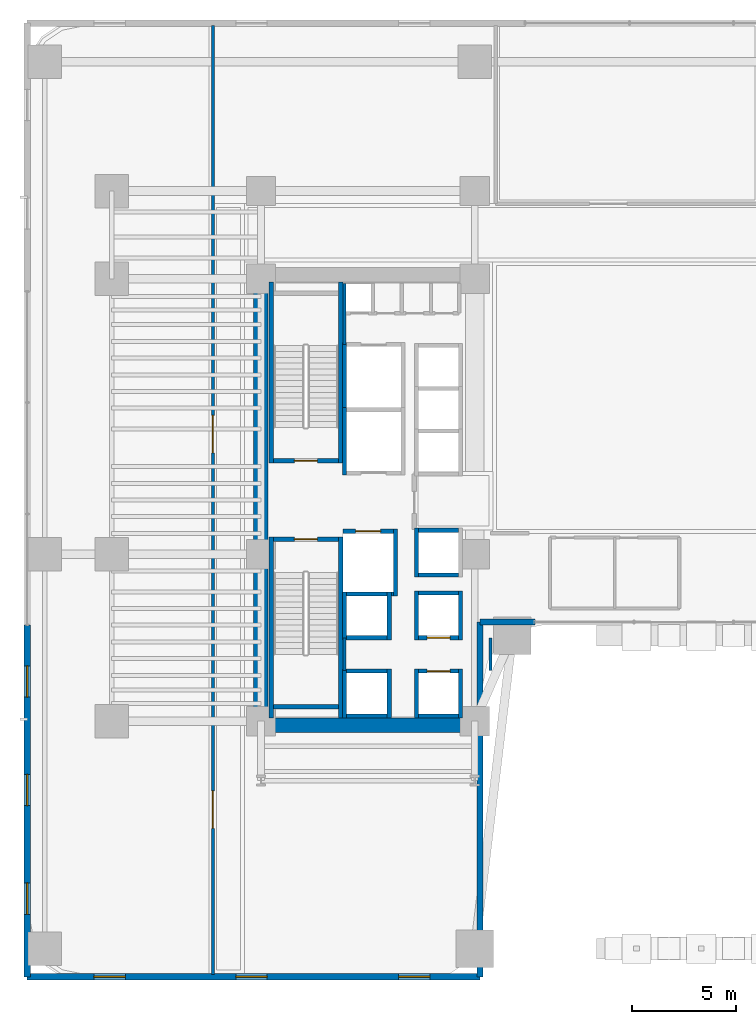
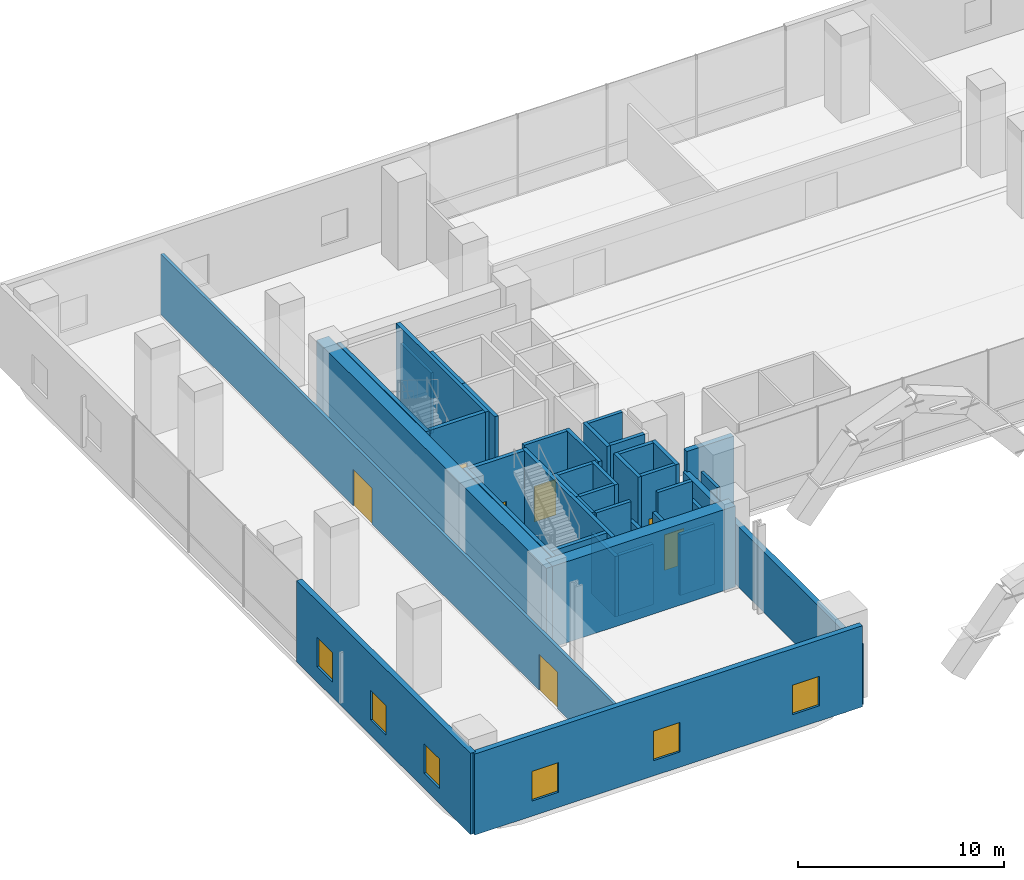
# One storey, part 26 of 39: 40 walls, 7 doors, 6 windows, 13 openings.
"""IFC4 building model written with IfcOpenShell, lengths in metres."""

from ifc_helpers import new_model, si_unit, direction, frame, frame_2d, origin, place, context, subcontext, project, spatial, rectangle, extrude, material, layer, layer_set, type_object, element, fill, save


model = new_model("IFC4")

# Units and contexts
model_context = context("Model", 3, precision=1e-05, world=origin(), true_north=direction((0.0, 1.0)))
body_context = subcontext(model_context, "Body", "Model", "MODEL_VIEW")
ifc_project = project(units=[si_unit("LENGTHUNIT", "METRE"), si_unit("AREAUNIT", "SQUARE_METRE"), si_unit("VOLUMEUNIT", "CUBIC_METRE"), si_unit("PLANEANGLEUNIT", "RADIAN"), si_unit("MASSUNIT", "GRAM", prefix="KILO")], contexts=[model_context])

# Site, building, storey
site_placement = place(None, origin())
site = spatial("IfcSite", under=ifc_project, at=site_placement, CompositionType="ELEMENT")
building_placement = place(site_placement, origin())
building = spatial("IfcBuilding", under=site, at=building_placement, Name="Valdorenza Pilgrim Sanctuary Tower", CompositionType="ELEMENT")
storey_placement = place(building_placement, frame((0.0, 0.0, 15.60009765625)))
storey = spatial("IfcBuildingStorey", under=building, at=storey_placement, Name="L03", CompositionType="ELEMENT", Elevation=15.60009765625)

# Walls
ifc_material_1 = material(Name="Acoustic twin-stud gypsum partition", Category="gypsum")
ifc_layer_1 = layer(ifc_material_1, 0.159912109375, Name="Acoustic twin-stud gypsum partition")
ifc_layer_set_1 = layer_set([ifc_layer_1], Name="Acoustic twin-stud gypsum partition")
wall_type_1 = type_object("IfcWallType", Name="WAL-COR-160", PredefinedType="PARTITIONING", material=ifc_layer_set_1)
wall_1_placement = place(storey_placement, frame((-18.64990234375, 7.449951171875, 0.0), z_axis=(0.0, 0.0, 1.0), x_axis=(0.0, 1.0, 0.0)))
element("IfcWall", 1, at=wall_1_placement, inside=storey, type_object=wall_type_1, Name="L03 Core A North Service West Wall", PredefinedType="PARTITIONING", context=body_context, shape_type="SweptSolid", body=[
    extrude(rectangle(XDim=2.929931640625, YDim=0.159912109375, at=frame_2d((1.46484375, 0.0))), origin(), (0.0, 0.0, 1.0), 3.5849609375),
])
wall_2_placement = place(storey_placement, frame((-18.64990234375, -8.179931640625, 0.0), z_axis=(0.0, 0.0, 1.0), x_axis=(0.0, 1.0, 0.0)))
element("IfcWall", 2, at=wall_2_placement, inside=storey, type_object=wall_type_1, Name="L03 Core A South Lift Hall West Wall", PredefinedType="PARTITIONING", context=body_context, shape_type="SweptSolid", body=[
    extrude(rectangle(XDim=1.559814453125, YDim=0.159912109375, at=frame_2d((0.77978515625, 0.0))), origin(), (0.0, 0.0, 1.0), 4.7998046875),
])
wall_3_placement = place(storey_placement, frame((-11.64990234375, -8.179931640625, 0.0), z_axis=(0.0, 0.0, 1.0), x_axis=(0.0, 1.0, 0.0)))
element("IfcWall", 3, at=wall_3_placement, inside=storey, type_object=wall_type_1, Name="L03 Core A South Lift Hall East Wall", PredefinedType="PARTITIONING", context=body_context, shape_type="SweptSolid", body=[
    extrude(rectangle(XDim=1.559814453125, YDim=0.159912109375, at=frame_2d((0.77978515625, 0.0))), origin(), (0.0, 0.0, 1.0), 3.8369140625),
])

# Wall, openings, doors
wall_4_placement = place(storey_placement, frame((-24.949951171875, -22.739990234375, 0.0), z_axis=(0.0, 0.0, 1.0), x_axis=(0.0, 1.0, 0.0)))
wall_4 = element("IfcWall", 4, at=wall_4_placement, inside=storey, type_object=wall_type_1, Name="L03 L03 West Hall Wall", PredefinedType="PARTITIONING", context=body_context, shape_type="SweptSolid", body=[
    extrude(rectangle(XDim=45.47998046875, YDim=0.159912109375, at=frame_2d((22.739990234375, 0.0))), origin(), (0.0, 0.0, 1.0), 3.5849609375),
])
opening_1_placement = place(wall_4_placement, frame((7.0, 0.0, 0.0)))
opening_1 = element("IfcOpeningElement", 5, at=opening_1_placement, cuts=wall_4, Name="Opening DR-HL1", PredefinedType="OPENING", context=body_context, shape_type="SweptSolid", body=[
    extrude(rectangle(XDim=1.800048828125, YDim=2.14990234375, at=frame_2d((0.89990234375, 1.074951171875))), frame((0.0, 0.0947265625, 0.0), z_axis=(0.0, -1.0, 0.0), x_axis=(1.0, 0.0, 0.0)), (0.0, 0.0, 1.0), 0.189697265625),
])
opening_2_placement = place(wall_4_placement, frame((25.0, 0.0, 0.0)))
opening_2 = element("IfcOpeningElement", 6, at=opening_2_placement, cuts=wall_4, Name="Opening DR-HL1", PredefinedType="OPENING", context=body_context, shape_type="SweptSolid", body=[
    extrude(rectangle(XDim=1.800048828125, YDim=2.14990234375, at=frame_2d((0.89990234375, 1.074951171875))), frame((0.0, 0.0947265625, 0.0), z_axis=(0.0, -1.0, 0.0), x_axis=(1.0, 0.0, 0.0)), (0.0, 0.0, 1.0), 0.189697265625),
])
ifc_material_2 = material(Name="Acoustic oak and vision-glass double door", Category="glass")
door_type_1 = type_object("IfcDoorType", Name="DR-HALL-1800", OperationType="NOTDEFINED", PredefinedType="DOOR", material=ifc_material_2)
door_1_placement = place(opening_1_placement, frame((1.800048828125, 0.0, 0.0), z_axis=(0.0, 0.0, 1.0), x_axis=(-1.0, 0.0, 0.0)))
door_1 = element("IfcDoor", 7, at=door_1_placement, inside=storey, type_object=door_type_1, Name="L03 Pilgrimage Exhibition Gallery South Double Door", OperationType="DOUBLE_DOOR_SINGLE_SWING", OverallHeight=2.14990234375, OverallWidth=1.800048828125, PredefinedType="DOOR", context=body_context, shape_type="SweptSolid", body=[
    extrude(rectangle(XDim=1.800048828125, YDim=2.14990234375, at=frame_2d((0.89990234375, 1.074951171875))), frame((0.0, 0.02490234375, 0.0), z_axis=(0.0, -1.0, 0.0), x_axis=(1.0, 0.0, 0.0)), (0.0, 0.0, 1.0), 0.050048828125),
])
fill(opening_1, door_1)
door_2_placement = place(opening_2_placement, origin())
door_2 = element("IfcDoor", 8, at=door_2_placement, inside=storey, type_object=door_type_1, Name="L03 Pilgrimage Exhibition Gallery North Double Door", OperationType="DOUBLE_DOOR_SINGLE_SWING", OverallHeight=2.14990234375, OverallWidth=1.800048828125, PredefinedType="DOOR", context=body_context, shape_type="SweptSolid", body=[
    extrude(rectangle(XDim=1.800048828125, YDim=2.14990234375, at=frame_2d((0.89990234375, 1.074951171875))), frame((0.0, 0.02490234375, 0.0), z_axis=(0.0, -1.0, 0.0), x_axis=(1.0, 0.0, 0.0)), (0.0, 0.0, 1.0), 0.050048828125),
])
fill(opening_2, door_2)

# Walls
ifc_material_3 = material(Name="Concrete C60/75", Category="concrete")
ifc_layer_2 = layer(ifc_material_3, 0.699951171875, Name="Concrete C60/75")
ifc_layer_set_2 = layer_set([ifc_layer_2], Name="Concrete C60/75")
wall_type_2 = type_object("IfcWallType", Name="WAL-COR-700", PredefinedType="SHEAR", material=ifc_layer_set_2)
wall_5_placement = place(storey_placement, frame((-22.64990234375, -11.14990234375, 0.0), z_axis=(0.0, 0.0, 1.0), x_axis=(0.0, 1.0, 0.0)))
element("IfcWall", 9, at=wall_5_placement, inside=storey, type_object=wall_type_2, Name="L03 Split Core A Shear Wall W", PredefinedType="SHEAR", context=body_context, shape_type="SweptSolid", body=[
    extrude(rectangle(XDim=22.2998046875, YDim=0.699951171875, at=frame_2d((11.14990234375, 0.0))), origin(), (0.0, 0.0, 1.0), 4.7998046875),
])
wall_6_placement = place(storey_placement, frame((-22.64990234375, -10.800048828125, 0.0), z_axis=(0.0, 0.0, 1.0), x_axis=(1.0, 0.0, 0.0)))
element("IfcWall", 10, at=wall_6_placement, inside=storey, type_object=wall_type_2, Name="L03 Split Core A Shear Wall S", PredefinedType="SHEAR", context=body_context, shape_type="SweptSolid", body=[
    extrude(rectangle(XDim=10.25, YDim=0.699951171875, at=frame_2d((5.125, 0.0))), origin(), (0.0, 0.0, 1.0), 4.7998046875),
])

# Wall, openings, windows
ifc_material_4 = material(Name="Honed travertine limestone", Category="masonry")
ifc_layer_3 = layer(ifc_material_4, 0.300048828125, Name="Honed travertine limestone")
ifc_layer_set_3 = layer_set([ifc_layer_3], Name="Honed travertine limestone")
wall_type_3 = type_object("IfcWallType", Name="WAL-EXT-300", PredefinedType="SOLIDWALL", material=ifc_layer_set_3)
wall_7_placement = place(storey_placement, frame((-33.85009765625, -22.85009765625, 0.0), z_axis=(0.0, 0.0, 1.0), x_axis=(0.0, 1.0, 0.0)))
wall_7 = element("IfcWall", 11, at=wall_7_placement, inside=storey, type_object=wall_type_3, Name="L03 Podium Honed Travertine Stone Wall W-S", PredefinedType="SOLIDWALL", context=body_context, shape_type="SweptSolid", body=[
    extrude(rectangle(XDim=16.8701171875, YDim=0.300048828125, at=frame_2d((8.43505859375, 0.0))), origin(), (0.0, 0.0, 1.0), 4.7998046875),
])
opening_3_placement = place(wall_7_placement, frame((3.0, 0.0, 0.89990234375)))
opening_3 = element("IfcOpeningElement", 12, at=opening_3_placement, cuts=wall_7, Name="Opening WN-VS1", PredefinedType="OPENING", context=body_context, shape_type="SweptSolid", body=[
    extrude(rectangle(XDim=1.5, YDim=1.75, at=frame_2d((0.75, 0.875))), frame((0.0, 0.1650390625, 0.0), z_axis=(0.0, -1.0, 0.0), x_axis=(1.0, 0.0, 0.0)), (0.0, 0.0, 1.0), 0.329833984375),
])
opening_4_placement = place(wall_7_placement, frame((8.199951171875, 0.0, 0.89990234375)))
opening_4 = element("IfcOpeningElement", 13, at=opening_4_placement, cuts=wall_7, Name="Opening WN-VS1", PredefinedType="OPENING", context=body_context, shape_type="SweptSolid", body=[
    extrude(rectangle(XDim=1.5, YDim=1.75, at=frame_2d((0.75, 0.875))), frame((0.0, 0.1650390625, 0.0), z_axis=(0.0, -1.0, 0.0), x_axis=(1.0, 0.0, 0.0)), (0.0, 0.0, 1.0), 0.329833984375),
])
opening_5_placement = place(wall_7_placement, frame((13.39990234375, 0.0, 0.89990234375)))
opening_5 = element("IfcOpeningElement", 14, at=opening_5_placement, cuts=wall_7, Name="Opening WN-VS1", PredefinedType="OPENING", context=body_context, shape_type="SweptSolid", body=[
    extrude(rectangle(XDim=1.5, YDim=1.75, at=frame_2d((0.75, 0.875))), frame((0.0, 0.1650390625, 0.0), z_axis=(0.0, -1.0, 0.0), x_axis=(1.0, 0.0, 0.0)), (0.0, 0.0, 1.0), 0.329833984375),
])
ifc_material_5 = material(Name="Ceramic-fritted low-E IGU glazing", Category="glass")
window_type = type_object("IfcWindowType", Name="WIN-VIS-1500", PartitioningType="SINGLE_PANEL", PredefinedType="WINDOW", material=ifc_material_5)
window_1_placement = place(opening_3_placement, origin())
window_1 = element("IfcWindow", 15, at=window_1_placement, inside=storey, type_object=window_type, Name="L03 Podium Stone Vision Window W-S-1", OverallHeight=1.75, OverallWidth=1.5, PartitioningType="SINGLE_PANEL", PredefinedType="WINDOW", context=body_context, shape_type="SweptSolid", body=[
    extrude(rectangle(XDim=1.5, YDim=1.75, at=frame_2d((0.75, 0.875))), frame((0.0, 0.030029296875, 0.0), z_axis=(0.0, -1.0, 0.0), x_axis=(1.0, 0.0, 0.0)), (0.0, 0.0, 1.0), 0.06005859375),
])
fill(opening_3, window_1)
window_2_placement = place(opening_4_placement, origin())
window_2 = element("IfcWindow", 16, at=window_2_placement, inside=storey, type_object=window_type, Name="L03 Podium Stone Vision Window W-S-2", OverallHeight=1.75, OverallWidth=1.5, PartitioningType="SINGLE_PANEL", PredefinedType="WINDOW", context=body_context, shape_type="SweptSolid", body=[
    extrude(rectangle(XDim=1.5, YDim=1.75, at=frame_2d((0.75, 0.875))), frame((0.0, 0.030029296875, 0.0), z_axis=(0.0, -1.0, 0.0), x_axis=(1.0, 0.0, 0.0)), (0.0, 0.0, 1.0), 0.06005859375),
])
fill(opening_4, window_2)
window_3_placement = place(opening_5_placement, origin())
window_3 = element("IfcWindow", 17, at=window_3_placement, inside=storey, type_object=window_type, Name="L03 Podium Stone Vision Window W-S-3", OverallHeight=1.75, OverallWidth=1.5, PartitioningType="SINGLE_PANEL", PredefinedType="WINDOW", context=body_context, shape_type="SweptSolid", body=[
    extrude(rectangle(XDim=1.5, YDim=1.75, at=frame_2d((0.75, 0.875))), frame((0.0, 0.030029296875, 0.0), z_axis=(0.0, -1.0, 0.0), x_axis=(1.0, 0.0, 0.0)), (0.0, 0.0, 1.0), 0.06005859375),
])
fill(opening_5, window_3)

wall_8_placement = place(storey_placement, frame((-33.85009765625, -22.85009765625, 0.0), z_axis=(0.0, 0.0, 1.0), x_axis=(1.0, 0.0, 0.0)))
wall_8 = element("IfcWall", 18, at=wall_8_placement, inside=storey, type_object=wall_type_3, Name="L03 Podium Honed Travertine Stone Wall S-W", PredefinedType="SOLIDWALL", context=body_context, shape_type="SweptSolid", body=[
    extrude(rectangle(XDim=21.7001953125, YDim=0.300048828125, at=frame_2d((10.85009765625, 0.0))), origin(), (0.0, 0.0, 1.0), 4.7998046875),
])
opening_6_placement = place(wall_8_placement, frame((3.199951171875, 0.0, 0.89990234375)))
opening_6 = element("IfcOpeningElement", 19, at=opening_6_placement, cuts=wall_8, Name="Opening WN-VS1", PredefinedType="OPENING", context=body_context, shape_type="SweptSolid", body=[
    extrude(rectangle(XDim=1.5, YDim=1.75, at=frame_2d((0.75, 0.875))), frame((0.0, 0.1650390625, 0.0), z_axis=(0.0, -1.0, 0.0), x_axis=(1.0, 0.0, 0.0)), (0.0, 0.0, 1.0), 0.329833984375),
])
opening_7_placement = place(wall_8_placement, frame((10.0, 0.0, 0.89990234375)))
opening_7 = element("IfcOpeningElement", 20, at=opening_7_placement, cuts=wall_8, Name="Opening WN-VS1", PredefinedType="OPENING", context=body_context, shape_type="SweptSolid", body=[
    extrude(rectangle(XDim=1.5, YDim=1.75, at=frame_2d((0.75, 0.875))), frame((0.0, 0.1650390625, 0.0), z_axis=(0.0, -1.0, 0.0), x_axis=(1.0, 0.0, 0.0)), (0.0, 0.0, 1.0), 0.329833984375),
])
opening_8_placement = place(wall_8_placement, frame((17.800048828125, 0.0, 0.89990234375)))
opening_8 = element("IfcOpeningElement", 21, at=opening_8_placement, cuts=wall_8, Name="Opening WN-VS1", PredefinedType="OPENING", context=body_context, shape_type="SweptSolid", body=[
    extrude(rectangle(XDim=1.5, YDim=1.75, at=frame_2d((0.75, 0.875))), frame((0.0, 0.1650390625, 0.0), z_axis=(0.0, -1.0, 0.0), x_axis=(1.0, 0.0, 0.0)), (0.0, 0.0, 1.0), 0.329833984375),
])
window_4_placement = place(opening_6_placement, origin())
window_4 = element("IfcWindow", 22, at=window_4_placement, inside=storey, type_object=window_type, Name="L03 Podium Stone Vision Window S-W-1", OverallHeight=1.75, OverallWidth=1.5, PartitioningType="SINGLE_PANEL", PredefinedType="WINDOW", context=body_context, shape_type="SweptSolid", body=[
    extrude(rectangle(XDim=1.5, YDim=1.75, at=frame_2d((0.75, 0.875))), frame((0.0, 0.030029296875, 0.0), z_axis=(0.0, -1.0, 0.0), x_axis=(1.0, 0.0, 0.0)), (0.0, 0.0, 1.0), 0.06005859375),
])
fill(opening_6, window_4)
window_5_placement = place(opening_7_placement, origin())
window_5 = element("IfcWindow", 23, at=window_5_placement, inside=storey, type_object=window_type, Name="L03 Podium Stone Vision Window S-W-2", OverallHeight=1.75, OverallWidth=1.5, PartitioningType="SINGLE_PANEL", PredefinedType="WINDOW", context=body_context, shape_type="SweptSolid", body=[
    extrude(rectangle(XDim=1.5, YDim=1.75, at=frame_2d((0.75, 0.875))), frame((0.0, 0.030029296875, 0.0), z_axis=(0.0, -1.0, 0.0), x_axis=(1.0, 0.0, 0.0)), (0.0, 0.0, 1.0), 0.06005859375),
])
fill(opening_7, window_5)
window_6_placement = place(opening_8_placement, origin())
window_6 = element("IfcWindow", 24, at=window_6_placement, inside=storey, type_object=window_type, Name="L03 Podium Stone Vision Window S-W-3", OverallHeight=1.75, OverallWidth=1.5, PartitioningType="SINGLE_PANEL", PredefinedType="WINDOW", context=body_context, shape_type="SweptSolid", body=[
    extrude(rectangle(XDim=1.5, YDim=1.75, at=frame_2d((0.75, 0.875))), frame((0.0, 0.030029296875, 0.0), z_axis=(0.0, -1.0, 0.0), x_axis=(1.0, 0.0, 0.0)), (0.0, 0.0, 1.0), 0.06005859375),
])
fill(opening_8, window_6)

# Walls
wall_9_placement = place(storey_placement, frame((-12.14990234375, -22.85009765625, 0.0), z_axis=(0.0, 0.0, 1.0), x_axis=(0.0, 1.0, 0.0)))
element("IfcWall", 25, at=wall_9_placement, inside=storey, type_object=wall_type_3, Name="L03 Portal Arch Stone Cheek Wall ARCH-W", PredefinedType="SOLIDWALL", context=body_context, shape_type="SweptSolid", body=[
    extrude(rectangle(XDim=17.0, YDim=0.300048828125, at=frame_2d((8.5, 0.0))), origin(), (0.0, 0.0, 1.0), 3.5849609375),
])
wall_10_placement = place(storey_placement, frame((-12.14990234375, -5.85009765625, 0.0), z_axis=(0.0, 0.0, 1.0), x_axis=(1.0, 0.0, 0.0)))
element("IfcWall", 26, at=wall_10_placement, inside=storey, type_object=wall_type_3, Name="L03 Arch Pier West Stone Jamb", PredefinedType="SOLIDWALL", context=body_context, shape_type="SweptSolid", body=[
    extrude(rectangle(XDim=2.6298828125, YDim=0.300048828125, at=frame_2d((1.31494140625, 0.0))), origin(), (0.0, 0.0, 1.0), 4.7998046875),
])
ifc_material_6 = material(Name="Autoclaved aerated concrete blockwork", Category="masonry")
ifc_layer_4 = layer(ifc_material_6, 0.199951171875, Name="Autoclaved aerated concrete blockwork")
ifc_layer_set_4 = layer_set([ifc_layer_4], Name="Autoclaved aerated concrete blockwork")
wall_type_4 = type_object("IfcWallType", Name="WAL-SHF-200", PredefinedType="MOVABLE", material=ifc_layer_set_4)
wall_11_placement = place(storey_placement, frame((-18.64990234375, 1.199951171875, 0.0), z_axis=(0.0, 0.0, 1.0), x_axis=(0.0, 1.0, 0.0)))
element("IfcWall", 27, at=wall_11_placement, inside=storey, type_object=wall_type_4, Name="L03 Lift FFL-01 Hoistway Wall West", PredefinedType="MOVABLE", context=body_context, shape_type="SweptSolid", body=[
    extrude(rectangle(XDim=3.22509765625, YDim=0.199951171875, at=frame_2d((1.612548828125, 0.0))), origin(), (0.0, 0.0, 1.0), 4.7998046875),
])
wall_12_placement = place(storey_placement, frame((-16.199951171875, -4.60009765625, 0.0), z_axis=(0.0, 0.0, 1.0), x_axis=(0.0, 1.0, 0.0)))
element("IfcWall", 28, at=wall_12_placement, inside=storey, type_object=wall_type_4, Name="L03 Lift FFL-02 Hoistway Wall East", PredefinedType="MOVABLE", context=body_context, shape_type="SweptSolid", body=[
    extrude(rectangle(XDim=3.2001953125, YDim=0.199951171875, at=frame_2d((1.60009765625, 0.0))), origin(), (0.0, 0.0, 1.0), 4.7998046875),
])
wall_13_placement = place(storey_placement, frame((-18.719970703125, -4.5, 0.0), z_axis=(0.0, 0.0, 1.0), x_axis=(1.0, 0.0, 0.0)))
element("IfcWall", 29, at=wall_13_placement, inside=storey, type_object=wall_type_4, Name="L03 Lift FFL-02 Hoistway Wall South", PredefinedType="MOVABLE", context=body_context, shape_type="SweptSolid", body=[
    extrude(rectangle(XDim=2.419921875, YDim=0.199951171875, at=frame_2d((1.2099609375, 0.0))), origin(), (0.0, 0.0, 1.0), 4.7998046875),
])

# Wall, opening, door
wall_14_placement = place(storey_placement, frame((-18.719970703125, -1.5, 0.0), z_axis=(0.0, 0.0, 1.0), x_axis=(1.0, 0.0, 0.0)))
wall_14 = element("IfcWall", 30, at=wall_14_placement, inside=storey, type_object=wall_type_4, Name="L03 Lift FFL-02 Hoistway Wall North", PredefinedType="MOVABLE", context=body_context, shape_type="SweptSolid", body=[
    extrude(rectangle(XDim=2.419921875, YDim=0.199951171875, at=frame_2d((1.2099609375, 0.0))), origin(), (0.0, 0.0, 1.0), 4.7998046875),
])
opening_9_placement = place(wall_14_placement, frame((0.610107421875, 0.0, 0.0)))
opening_9 = element("IfcOpeningElement", 31, at=opening_9_placement, cuts=wall_14, Name="Opening LD-02", PredefinedType="OPENING", context=body_context, shape_type="SweptSolid", body=[
    extrude(rectangle(XDim=1.199951171875, YDim=2.10009765625, at=frame_2d((0.60009765625, 1.050048828125))), frame((0.0, 0.11474609375, 0.0), z_axis=(0.0, -1.0, 0.0), x_axis=(1.0, 0.0, 0.0)), (0.0, 0.0, 1.0), 0.229736328125),
])
ifc_material_7 = material(Name="Brushed stainless steel Grade 316", Category="steel")
door_type_2 = type_object("IfcDoorType", Name="DR-LFT-1200", OperationType="DOUBLE_DOOR_SLIDING", PredefinedType="DOOR", material=ifc_material_7)
door_3_placement = place(opening_9_placement, origin())
door_3 = element("IfcDoor", 32, at=door_3_placement, inside=storey, type_object=door_type_2, Name="L03 Lift FFL-02 Sliding Landing Door", OperationType="DOUBLE_DOOR_SLIDING", OverallHeight=2.10009765625, OverallWidth=1.199951171875, PredefinedType="DOOR", context=body_context, shape_type="SweptSolid", body=[
    extrude(rectangle(XDim=1.199951171875, YDim=2.10009765625, at=frame_2d((0.60009765625, 1.050048828125))), frame((0.0, 0.02490234375, 0.0), z_axis=(0.0, -1.0, 0.0), x_axis=(1.0, 0.0, 0.0)), (0.0, 0.0, 1.0), 0.050048828125),
])
fill(opening_9, door_3)

# Walls
wall_15_placement = place(storey_placement, frame((-18.64990234375, 4.22509765625, 0.0), z_axis=(0.0, 0.0, 1.0), x_axis=(0.0, 1.0, 0.0)))
element("IfcWall", 33, at=wall_15_placement, inside=storey, type_object=wall_type_4, Name="L03 Lift SVL-01 Hoistway Wall West", PredefinedType="MOVABLE", context=body_context, shape_type="SweptSolid", body=[
    extrude(rectangle(XDim=3.324951171875, YDim=0.199951171875, at=frame_2d((1.66259765625, 0.0))), origin(), (0.0, 0.0, 1.0), 4.7998046875),
])
for number, where, z_axis, x_axis, name in (
    (34, (-15.199951171875, -10.449951171875, 0.0), (0.0, 0.0, 1.0), (0.0, 1.0, 0.0), "L03 Lift PL-01 Hoistway Wall West"),
    (35, (-13.080078125, -10.449951171875, 0.0), (0.0, 0.0, 1.0), (0.0, 1.0, 0.0), "L03 Lift PL-01 Hoistway Wall East"),
):
    element("IfcWall", number, at=place(storey_placement, frame(where, z_axis=z_axis, x_axis=x_axis)), inside=storey, type_object=wall_type_4, Name=name, PredefinedType="MOVABLE", context=body_context, shape_type="SweptSolid", body=[
        extrude(rectangle(XDim=2.349853515625, YDim=0.199951171875, at=frame_2d((1.1748046875, 0.0))), origin(), (0.0, 0.0, 1.0), 3.5849609375),
    ])
wall_16_placement = place(storey_placement, frame((-15.10009765625, -10.35009765625, 0.0), z_axis=(0.0, 0.0, 1.0), x_axis=(1.0, 0.0, 0.0)))
element("IfcWall", 36, at=wall_16_placement, inside=storey, type_object=wall_type_4, Name="L03 Lift PL-01 Hoistway Wall South", PredefinedType="MOVABLE", context=body_context, shape_type="SweptSolid", body=[
    extrude(rectangle(XDim=1.920166015625, YDim=0.199951171875, at=frame_2d((0.9599609375, 0.0))), origin(), (0.0, 0.0, 1.0), 3.5849609375),
])

# Wall, opening, door
wall_17_placement = place(storey_placement, frame((-15.10009765625, -8.199951171875, 0.0), z_axis=(0.0, 0.0, 1.0), x_axis=(1.0, 0.0, 0.0)))
wall_17 = element("IfcWall", 37, at=wall_17_placement, inside=storey, type_object=wall_type_4, Name="L03 Lift PL-01 Hoistway Wall North", PredefinedType="MOVABLE", context=body_context, shape_type="SweptSolid", body=[
    extrude(rectangle(XDim=1.920166015625, YDim=0.199951171875, at=frame_2d((0.9599609375, 0.0))), origin(), (0.0, 0.0, 1.0), 4.7998046875),
])
opening_10_placement = place(wall_17_placement, frame((0.409912109375, 0.0, 0.0)))
opening_10 = element("IfcOpeningElement", 38, at=opening_10_placement, cuts=wall_17, Name="Opening LD-01", PredefinedType="OPENING", context=body_context, shape_type="SweptSolid", body=[
    extrude(rectangle(XDim=1.10009765625, YDim=2.10009765625, at=frame_2d((0.550048828125, 1.050048828125))), frame((0.0, 0.11474609375, 0.0), z_axis=(0.0, -1.0, 0.0), x_axis=(1.0, 0.0, 0.0)), (0.0, 0.0, 1.0), 0.229736328125),
])
door_type_3 = type_object("IfcDoorType", Name="DR-LFT-1100", OperationType="DOUBLE_DOOR_SLIDING", PredefinedType="DOOR", material=ifc_material_7)
door_4_placement = place(opening_10_placement, origin())
door_4 = element("IfcDoor", 39, at=door_4_placement, inside=storey, type_object=door_type_3, Name="L03 Lift PL-01 Sliding Landing Door", OperationType="DOUBLE_DOOR_SLIDING", OverallHeight=2.10009765625, OverallWidth=1.10009765625, PredefinedType="DOOR", context=body_context, shape_type="SweptSolid", body=[
    extrude(rectangle(XDim=1.10009765625, YDim=2.10009765625, at=frame_2d((0.550048828125, 1.050048828125))), frame((0.0, 0.02490234375, 0.0), z_axis=(0.0, -1.0, 0.0), x_axis=(1.0, 0.0, 0.0)), (0.0, 0.0, 1.0), 0.050048828125),
])
fill(opening_10, door_4)

# Walls
for number, where, z_axis, x_axis, name in (
    (40, (-15.199951171875, -6.699951171875, 0.0), (0.0, 0.0, 1.0), (0.0, 1.0, 0.0), "L03 Lift PL-02 Hoistway Wall West"),
    (41, (-13.080078125, -6.699951171875, 0.0), (0.0, 0.0, 1.0), (0.0, 1.0, 0.0), "L03 Lift PL-02 Hoistway Wall East"),
):
    element("IfcWall", number, at=place(storey_placement, frame(where, z_axis=z_axis, x_axis=x_axis)), inside=storey, type_object=wall_type_4, Name=name, PredefinedType="MOVABLE", context=body_context, shape_type="SweptSolid", body=[
        extrude(rectangle(XDim=2.349853515625, YDim=0.199951171875, at=frame_2d((1.1748046875, 0.0))), origin(), (0.0, 0.0, 1.0), 4.7998046875),
    ])

# Wall, opening, door
wall_18_placement = place(storey_placement, frame((-15.10009765625, -6.60009765625, 0.0), z_axis=(0.0, 0.0, 1.0), x_axis=(1.0, 0.0, 0.0)))
wall_18 = element("IfcWall", 42, at=wall_18_placement, inside=storey, type_object=wall_type_4, Name="L03 Lift PL-02 Hoistway Wall South", PredefinedType="MOVABLE", context=body_context, shape_type="SweptSolid", body=[
    extrude(rectangle(XDim=1.920166015625, YDim=0.199951171875, at=frame_2d((0.9599609375, 0.0))), origin(), (0.0, 0.0, 1.0), 4.7998046875),
])
opening_11_placement = place(wall_18_placement, frame((0.409912109375, 0.0, 0.0)))
opening_11 = element("IfcOpeningElement", 43, at=opening_11_placement, cuts=wall_18, Name="Opening LD-01", PredefinedType="OPENING", context=body_context, shape_type="SweptSolid", body=[
    extrude(rectangle(XDim=1.10009765625, YDim=2.10009765625, at=frame_2d((0.550048828125, 1.050048828125))), frame((0.0, 0.11474609375, 0.0), z_axis=(0.0, -1.0, 0.0), x_axis=(1.0, 0.0, 0.0)), (0.0, 0.0, 1.0), 0.229736328125),
])
door_5_placement = place(opening_11_placement, origin())
door_5 = element("IfcDoor", 44, at=door_5_placement, inside=storey, type_object=door_type_3, Name="L03 Lift PL-02 Sliding Landing Door", OperationType="DOUBLE_DOOR_SLIDING", OverallHeight=2.10009765625, OverallWidth=1.10009765625, PredefinedType="DOOR", context=body_context, shape_type="SweptSolid", body=[
    extrude(rectangle(XDim=1.10009765625, YDim=2.10009765625, at=frame_2d((0.550048828125, 1.050048828125))), frame((0.0, 0.02490234375, 0.0), z_axis=(0.0, -1.0, 0.0), x_axis=(1.0, 0.0, 0.0)), (0.0, 0.0, 1.0), 0.050048828125),
])
fill(opening_11, door_5)

# Walls
wall_19_placement = place(storey_placement, frame((-15.10009765625, -4.449951171875, 0.0), z_axis=(0.0, 0.0, 1.0), x_axis=(1.0, 0.0, 0.0)))
element("IfcWall", 45, at=wall_19_placement, inside=storey, type_object=wall_type_4, Name="L03 Lift PL-02 Hoistway Wall North", PredefinedType="MOVABLE", context=body_context, shape_type="SweptSolid", body=[
    extrude(rectangle(XDim=1.920166015625, YDim=0.199951171875, at=frame_2d((0.9599609375, 0.0))), origin(), (0.0, 0.0, 1.0), 4.7998046875),
])
for number, where, z_axis, x_axis, name in (
    (46, (-18.64990234375, -10.449951171875, 0.0), (0.0, 0.0, 1.0), (0.0, 1.0, 0.0), "L03 Lift PL-05 Hoistway Wall West"),
    (47, (-16.5, -10.449951171875, 0.0), (0.0, 0.0, 1.0), (0.0, 1.0, 0.0), "L03 Lift PL-05 Hoistway Wall East"),
):
    element("IfcWall", number, at=place(storey_placement, frame(where, z_axis=z_axis, x_axis=x_axis)), inside=storey, type_object=wall_type_4, Name=name, PredefinedType="MOVABLE", context=body_context, shape_type="SweptSolid", body=[
        extrude(rectangle(XDim=2.349853515625, YDim=0.199951171875, at=frame_2d((1.1748046875, 0.0))), origin(), (0.0, 0.0, 1.0), 3.5849609375),
    ])
wall_20_placement = place(storey_placement, frame((-18.550048828125, -10.35009765625, 0.0), z_axis=(0.0, 0.0, 1.0), x_axis=(1.0, 0.0, 0.0)))
element("IfcWall", 48, at=wall_20_placement, inside=storey, type_object=wall_type_4, Name="L03 Lift PL-05 Hoistway Wall South", PredefinedType="MOVABLE", context=body_context, shape_type="SweptSolid", body=[
    extrude(rectangle(XDim=1.949951171875, YDim=0.199951171875, at=frame_2d((0.97509765625, 0.0))), origin(), (0.0, 0.0, 1.0), 3.5849609375),
])
wall_21_placement = place(storey_placement, frame((-18.550048828125, -8.199951171875, 0.0), z_axis=(0.0, 0.0, 1.0), x_axis=(1.0, 0.0, 0.0)))
element("IfcWall", 49, at=wall_21_placement, inside=storey, type_object=wall_type_4, Name="L03 Lift PL-05 Hoistway Wall North", PredefinedType="MOVABLE", context=body_context, shape_type="SweptSolid", body=[
    extrude(rectangle(XDim=1.949951171875, YDim=0.199951171875, at=frame_2d((0.97509765625, 0.0))), origin(), (0.0, 0.0, 1.0), 4.7998046875),
])
for number, where, z_axis, x_axis, name in (
    (50, (-18.64990234375, -6.699951171875, 0.0), (0.0, 0.0, 1.0), (0.0, 1.0, 0.0), "L03 Lift PL-11 Hoistway Wall West"),
    (51, (-16.5, -6.699951171875, 0.0), (0.0, 0.0, 1.0), (0.0, 1.0, 0.0), "L03 Lift PL-11 Hoistway Wall East"),
):
    element("IfcWall", number, at=place(storey_placement, frame(where, z_axis=z_axis, x_axis=x_axis)), inside=storey, type_object=wall_type_4, Name=name, PredefinedType="MOVABLE", context=body_context, shape_type="SweptSolid", body=[
        extrude(rectangle(XDim=2.300048828125, YDim=0.199951171875, at=frame_2d((1.14990234375, 0.0))), origin(), (0.0, 0.0, 1.0), 4.7998046875),
    ])
wall_22_placement = place(storey_placement, frame((-18.550048828125, -6.60009765625, 0.0), z_axis=(0.0, 0.0, 1.0), x_axis=(1.0, 0.0, 0.0)))
element("IfcWall", 52, at=wall_22_placement, inside=storey, type_object=wall_type_4, Name="L03 Lift PL-11 Hoistway Wall South", PredefinedType="MOVABLE", context=body_context, shape_type="SweptSolid", body=[
    extrude(rectangle(XDim=1.949951171875, YDim=0.199951171875, at=frame_2d((0.97509765625, 0.0))), origin(), (0.0, 0.0, 1.0), 4.7998046875),
])
wall_23_placement = place(storey_placement, frame((-15.199951171875, -3.699951171875, 0.0), z_axis=(0.0, 0.0, 1.0), x_axis=(0.0, 1.0, 0.0)))
element("IfcWall", 53, at=wall_23_placement, inside=storey, type_object=wall_type_4, Name="L03 Lift PL-12 Hoistway Wall West", PredefinedType="MOVABLE", context=body_context, shape_type="SweptSolid", body=[
    extrude(rectangle(XDim=2.349853515625, YDim=0.199951171875, at=frame_2d((1.1748046875, 0.0))), origin(), (0.0, 0.0, 1.0), 4.7998046875),
])
for number, where, z_axis, x_axis, name in (
    (54, (-15.10009765625, -3.60009765625, 0.0), (0.0, 0.0, 1.0), (1.0, 0.0, 0.0), "L03 Lift PL-12 Hoistway Wall South"),
    (55, (-15.10009765625, -1.449951171875, 0.0), (0.0, 0.0, 1.0), (1.0, 0.0, 0.0), "L03 Lift PL-12 Hoistway Wall North"),
):
    element("IfcWall", number, at=place(storey_placement, frame(where, z_axis=z_axis, x_axis=x_axis)), inside=storey, type_object=wall_type_4, Name=name, PredefinedType="MOVABLE", context=body_context, shape_type="SweptSolid", body=[
        extrude(rectangle(XDim=1.920166015625, YDim=0.199951171875, at=frame_2d((0.9599609375, 0.0))), origin(), (0.0, 0.0, 1.0), 4.7998046875),
    ])
ifc_material_8 = material(Name="Concrete C40/50", Category="concrete")
ifc_layer_5 = layer(ifc_material_8, 0.219970703125, Name="Concrete C40/50")
ifc_layer_set_5 = layer_set([ifc_layer_5], Name="Concrete C40/50")
wall_type_5 = type_object("IfcWallType", Name="WAL-STR-SHF-220", PredefinedType="SHEAR", material=ifc_layer_set_5)
for number, where, z_axis, x_axis, name in (
    (56, (-22.159912109375, 1.780029296875, 0.0), (0.0, 0.0, 1.0), (0.0, 1.0, 0.0), "L03 ST-A1 Structural Stairwell Wall W"),
    (57, (-18.830078125, 1.780029296875, 0.0), (0.0, 0.0, 1.0), (0.0, 1.0, 0.0), "L03 ST-A1 Structural Stairwell Wall E"),
):
    element("IfcWall", number, at=place(storey_placement, frame(where, z_axis=z_axis, x_axis=x_axis)), inside=storey, type_object=wall_type_5, Name=name, PredefinedType="SHEAR", context=body_context, shape_type="SweptSolid", body=[
        extrude(rectangle(XDim=8.669921875, YDim=0.219970703125, at=frame_2d((4.3349609375, 0.0))), origin(), (0.0, 0.0, 1.0), 4.7998046875),
    ])

# Wall, opening, door
wall_24_placement = place(storey_placement, frame((-22.050048828125, 1.889892578125, 0.0), z_axis=(0.0, 0.0, 1.0), x_axis=(1.0, 0.0, 0.0)))
wall_24 = element("IfcWall", 58, at=wall_24_placement, inside=storey, type_object=wall_type_5, Name="L03 ST-A1 Structural Stairwell Wall S", PredefinedType="SHEAR", context=body_context, shape_type="SweptSolid", body=[
    extrude(rectangle(XDim=3.110107421875, YDim=0.219970703125, at=frame_2d((1.55517578125, 0.0))), origin(), (0.0, 0.0, 1.0), 4.7998046875),
])
opening_12_placement = place(wall_24_placement, frame((1.0, 0.0, 0.0)))
opening_12 = element("IfcOpeningElement", 59, at=opening_12_placement, cuts=wall_24, Name="Opening DR-ST1", PredefinedType="OPENING", context=body_context, shape_type="SweptSolid", body=[
    extrude(rectangle(XDim=1.10009765625, YDim=2.14990234375, at=frame_2d((0.550048828125, 1.074951171875))), frame((0.0, 0.125, 0.0), z_axis=(0.0, -1.0, 0.0), x_axis=(1.0, 0.0, 0.0)), (0.0, 0.0, 1.0), 0.249755859375),
])
ifc_material_9 = material(Name="Painted galvanized steel", Category="steel")
door_type_4 = type_object("IfcDoorType", Name="DR-STAIR-1100", OperationType="NOTDEFINED", PredefinedType="DOOR", material=ifc_material_9)
door_6_placement = place(opening_12_placement, frame((1.10009765625, 0.0, 0.0), z_axis=(0.0, 0.0, 1.0), x_axis=(-1.0, 0.0, 0.0)))
door_6 = element("IfcDoor", 60, at=door_6_placement, inside=storey, type_object=door_type_4, Name="L03 Exit Stair ST-A1 Door", OperationType="SINGLE_SWING_LEFT", OverallHeight=2.14990234375, OverallWidth=1.10009765625, PredefinedType="DOOR", context=body_context, shape_type="SweptSolid", body=[
    extrude(rectangle(XDim=1.10009765625, YDim=2.14990234375, at=frame_2d((0.550048828125, 1.074951171875))), frame((0.0, 0.02490234375, 0.0), z_axis=(0.0, -1.0, 0.0), x_axis=(1.0, 0.0, 0.0)), (0.0, 0.0, 1.0), 0.050048828125),
])
fill(opening_12, door_6)

# Walls
for number, where, z_axis, x_axis, name in (
    (61, (-22.159912109375, -10.449951171875, 0.0), (0.0, 0.0, 1.0), (0.0, 1.0, 0.0), "L03 ST-A2 Structural Stairwell Wall W"),
    (62, (-18.830078125, -10.449951171875, 0.0), (0.0, 0.0, 1.0), (0.0, 1.0, 0.0), "L03 ST-A2 Structural Stairwell Wall E"),
):
    element("IfcWall", number, at=place(storey_placement, frame(where, z_axis=z_axis, x_axis=x_axis)), inside=storey, type_object=wall_type_5, Name=name, PredefinedType="SHEAR", context=body_context, shape_type="SweptSolid", body=[
        extrude(rectangle(XDim=8.669921875, YDim=0.219970703125, at=frame_2d((4.3349609375, 0.0))), origin(), (0.0, 0.0, 1.0), 4.7998046875),
    ])
wall_25_placement = place(storey_placement, frame((-22.050048828125, -9.909912109375, 0.0), z_axis=(0.0, 0.0, 1.0), x_axis=(1.0, 0.0, 0.0)))
element("IfcWall", 63, at=wall_25_placement, inside=storey, type_object=wall_type_5, Name="L03 ST-A2 Structural Stairwell Wall S", PredefinedType="SHEAR", context=body_context, shape_type="SweptSolid", body=[
    extrude(rectangle(XDim=3.110107421875, YDim=0.219970703125, at=frame_2d((1.55517578125, 0.0))), origin(), (0.0, 0.0, 1.0), 4.7998046875),
])

# Wall, opening, door
wall_26_placement = place(storey_placement, frame((-22.050048828125, -1.889892578125, 0.0), z_axis=(0.0, 0.0, 1.0), x_axis=(1.0, 0.0, 0.0)))
wall_26 = element("IfcWall", 64, at=wall_26_placement, inside=storey, type_object=wall_type_5, Name="L03 ST-A2 Structural Stairwell Wall N", PredefinedType="SHEAR", context=body_context, shape_type="SweptSolid", body=[
    extrude(rectangle(XDim=3.110107421875, YDim=0.219970703125, at=frame_2d((1.55517578125, 0.0))), origin(), (0.0, 0.0, 1.0), 4.7998046875),
])
opening_13_placement = place(wall_26_placement, frame((1.0, 0.0, 0.0)))
opening_13 = element("IfcOpeningElement", 65, at=opening_13_placement, cuts=wall_26, Name="Opening DR-ST1", PredefinedType="OPENING", context=body_context, shape_type="SweptSolid", body=[
    extrude(rectangle(XDim=1.10009765625, YDim=2.14990234375, at=frame_2d((0.550048828125, 1.074951171875))), frame((0.0, 0.125, 0.0), z_axis=(0.0, -1.0, 0.0), x_axis=(1.0, 0.0, 0.0)), (0.0, 0.0, 1.0), 0.249755859375),
])
door_7_placement = place(opening_13_placement, origin())
door_7 = element("IfcDoor", 66, at=door_7_placement, inside=storey, type_object=door_type_4, Name="L03 Exit Stair ST-A2 Door", OperationType="SINGLE_SWING_RIGHT", OverallHeight=2.14990234375, OverallWidth=1.10009765625, PredefinedType="DOOR", context=body_context, shape_type="SweptSolid", body=[
    extrude(rectangle(XDim=1.10009765625, YDim=2.14990234375, at=frame_2d((0.550048828125, 1.074951171875))), frame((0.0, 0.02490234375, 0.0), z_axis=(0.0, -1.0, 0.0), x_axis=(1.0, 0.0, 0.0)), (0.0, 0.0, 1.0), 0.050048828125),
])
fill(opening_13, door_7)

save(model, "model.ifc")
